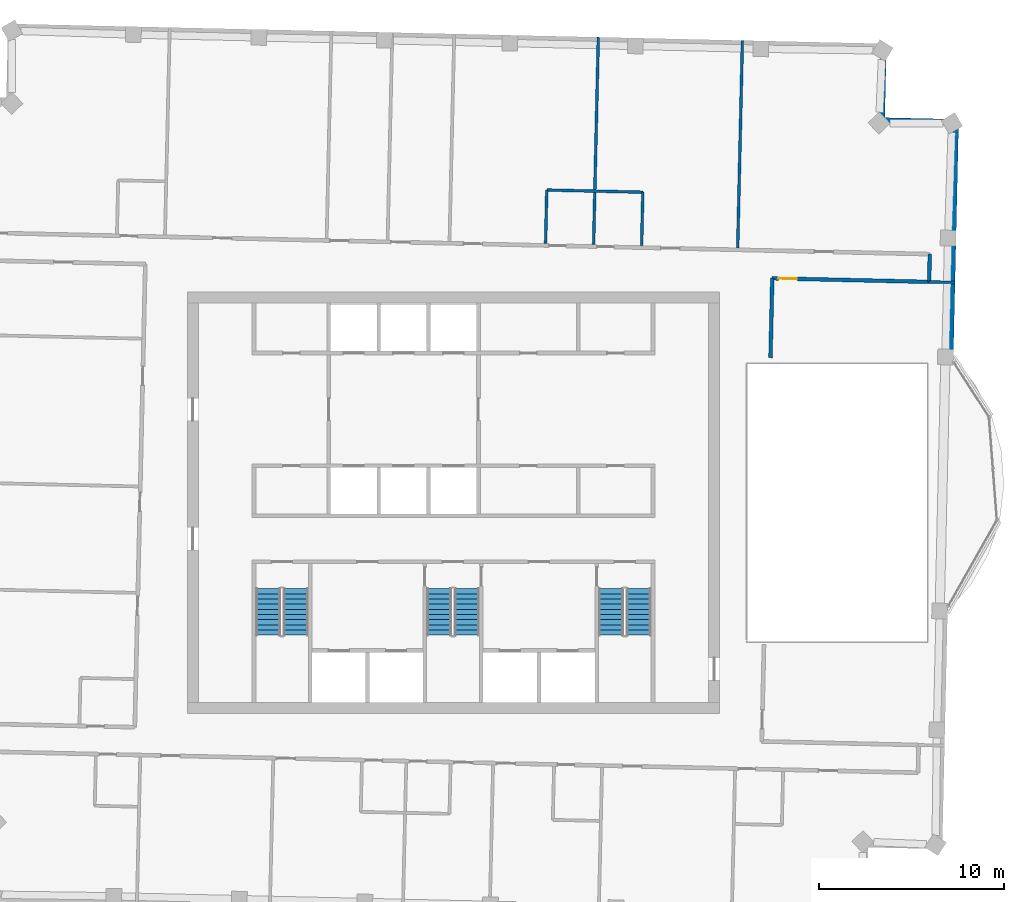
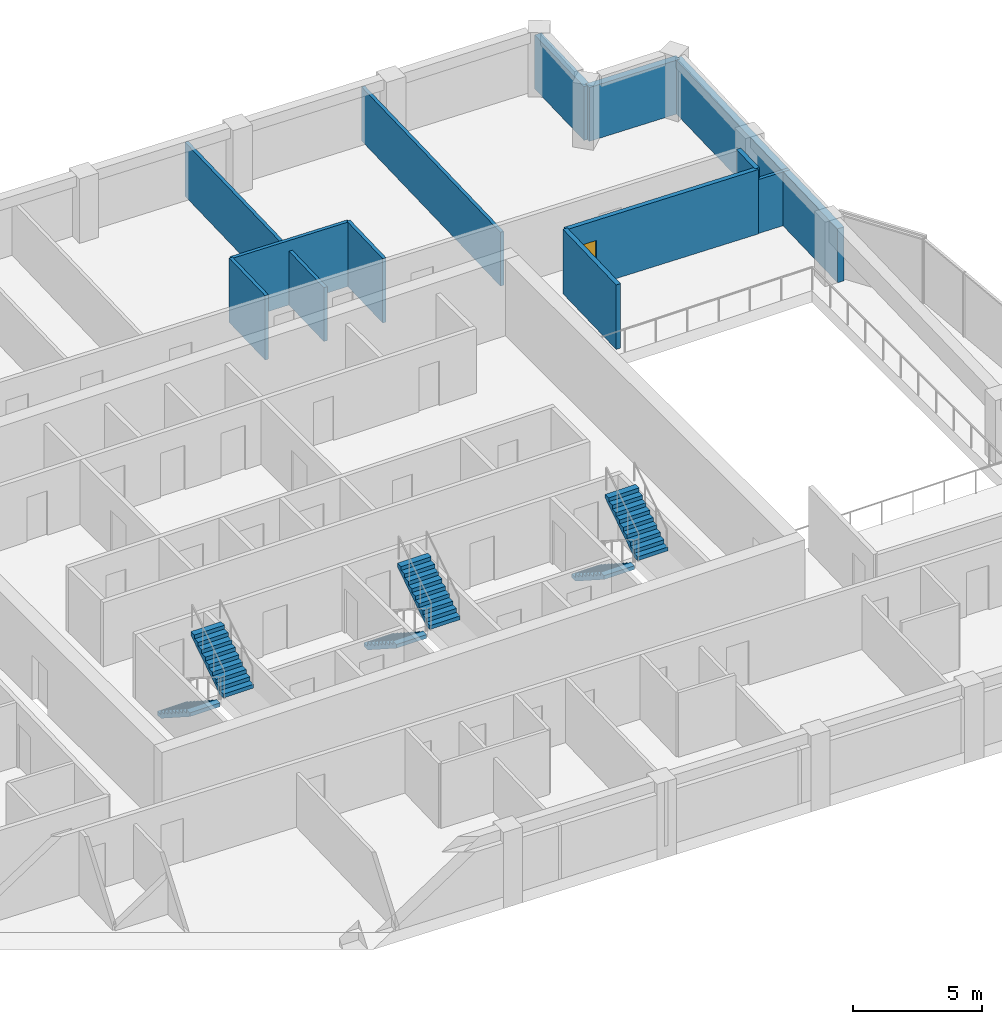
# One storey, part 9 of 11: 12 walls, 6 stair flights, 1 door, 1 opening, 3 elements without a shape of their own.
"""IFC4 building model written with IfcOpenShell, lengths in metres."""

from ifc_helpers import new_model, si_unit, direction, frame, frame_2d, origin, place, context, subcontext, project, spatial, polyline, rectangle, outline, extrude, material, layer, layer_set, type_object, element, fill, aggregate, save


model = new_model("IFC4")

# Units and contexts
model_context = context("Model", 3, precision=1e-05, world=origin(), true_north=direction((0.0, 1.0)))
body_context = subcontext(model_context, "Body", "Model", "MODEL_VIEW")
ifc_project = project(units=[si_unit("LENGTHUNIT", "METRE"), si_unit("AREAUNIT", "SQUARE_METRE"), si_unit("VOLUMEUNIT", "CUBIC_METRE"), si_unit("PLANEANGLEUNIT", "RADIAN"), si_unit("MASSUNIT", "GRAM", prefix="KILO")], contexts=[model_context])

# Site, building, storey
site_placement = place(None, origin())
site = spatial("IfcSite", under=ifc_project, at=site_placement, CompositionType="ELEMENT")
building_placement = place(site_placement, origin())
building = spatial("IfcBuilding", under=site, at=building_placement, Name="Mangrove Gate Tower", CompositionType="ELEMENT")
storey_placement = place(building_placement, frame((0.0, 0.0, 334.300048828125)))
storey = spatial("IfcBuildingStorey", under=building, at=storey_placement, Name="L85", CompositionType="ELEMENT", Elevation=334.300048828125)

# Wall
ifc_material_1 = material(Name="Gypsum board on steel stud, EI 60", Category="steel")
ifc_layer_1 = layer(ifc_material_1, 0.199951171875)
ifc_layer_set_1 = layer_set([ifc_layer_1], Name="Corridor wall EI 60")
wall_type_1 = type_object("IfcWallType", Name="Corridor wall EI 60", PredefinedType="PARTITIONING", material=ifc_layer_set_1)
wall_1_placement = place(storey_placement, frame((17.155029296875, 7.845947265625, 0.0), z_axis=(0.0, 0.0, 1.0), x_axis=(0.022745886685, 0.999741278851, 0.0)))
element("IfcWall", 1, at=wall_1_placement, inside=storey, type_object=wall_type_1, Name="WALL-L85-029", PredefinedType="PARTITIONING", context=body_context, shape_type="SweptSolid", body=[
    extrude(rectangle(XDim=4.30419921875, YDim=0.199951171875, at=frame_2d((2.152099609375, 0.0))), origin(), (0.0, 0.0, 1.0), 3.050048828125),
])

# Wall, opening, door
wall_2_placement = place(storey_placement, frame((17.248046875, 12.14501953125, 0.0), z_axis=(0.0, 0.0, 1.0), x_axis=(0.999741583257, -0.022732503302, 0.0)))
wall_2 = element("IfcWall", 2, at=wall_2_placement, inside=storey, type_object=wall_type_1, Name="WALL-L85-033", PredefinedType="PARTITIONING", context=body_context, shape_type="SweptSolid", body=[
    extrude(rectangle(XDim=8.4951171875, YDim=0.199951171875, at=frame_2d((4.24755859375, 0.0))), origin(), (0.0, 0.0, 1.0), 3.050048828125),
])
opening_placement = place(wall_2_placement, frame((0.340087890625, 0.0, 0.0)))
opening = element("IfcOpeningElement", 3, at=opening_placement, cuts=wall_2, Name="Opening AD", PredefinedType="OPENING", context=body_context, shape_type="SweptSolid", body=[
    extrude(rectangle(XDim=1.0, YDim=2.10009765625, at=frame_2d((0.5, 1.050048828125))), frame((0.0, 0.10986328125, 0.0), z_axis=(0.0, -1.0, 0.0), x_axis=(1.0, 0.0, 0.0)), (0.0, 0.0, 1.0), 0.219970703125),
])
ifc_material_2 = material(Name="Timber door leaf", Category="wood")
door_type = type_object("IfcDoorType", Name="Amenity door 1000", OperationType="SINGLE_SWING_LEFT", PredefinedType="DOOR", material=ifc_material_2)
door_placement = place(opening_placement, origin())
door = element("IfcDoor", 4, at=door_placement, inside=storey, type_object=door_type, Name="DOOR-L85-KIT-c3a", OperationType="SINGLE_SWING_LEFT", OverallHeight=2.10009765625, OverallWidth=1.0, PredefinedType="DOOR", context=body_context, shape_type="SweptSolid", body=[
    extrude(rectangle(XDim=1.0, YDim=2.10009765625, at=frame_2d((0.5, 1.050048828125))), frame((0.0, 0.02490234375, 0.0), z_axis=(0.0, -1.0, 0.0), x_axis=(1.0, 0.0, 0.0)), (0.0, 0.0, 1.0), 0.050048828125),
])
fill(opening, door)

# Walls
wall_3_placement = place(storey_placement, frame((25.740966796875, 11.9560546875, 0.0), z_axis=(0.0, 0.0, 1.0), x_axis=(0.022617910375, 0.999744182344, 0.0)))
element("IfcWall", 5, at=wall_3_placement, inside=storey, type_object=wall_type_1, Name="WALL-L85-036", PredefinedType="PARTITIONING", context=body_context, shape_type="SweptSolid", body=[
    extrude(rectangle(XDim=1.50048828125, YDim=0.199951171875, at=frame_2d((0.750244140625, 0.0))), origin(), (0.0, 0.0, 1.0), 3.050048828125),
])
ifc_material_3 = material(Name="Limestone", Category="masonry")
ifc_layer_2 = layer(ifc_material_3, 0.0400390625, Name="Limestone cladding")
ifc_material_4 = material(Name="Ventilated air gap")
ifc_layer_3 = layer(ifc_material_4, 0.0400390625, Name="Ventilated cavity")
ifc_material_5 = material(Name="Mineral wool insulation")
ifc_layer_4 = layer(ifc_material_5, 0.06005859375, Name="Insulation")
ifc_material_6 = material(Name="Breather membrane")
ifc_layer_5 = layer(ifc_material_6, 0.001953125, Name="Breather membrane")
ifc_material_7 = material(Name="Concrete C20/25 blockwork", Category="masonry")
ifc_layer_6 = layer(ifc_material_7, 0.14990234375, Name="Blockwork backing wall")
ifc_material_8 = material(Name="Gypsum plaster")
ifc_layer_7 = layer(ifc_material_8, 0.008056640625, Name="Internal plaster")
ifc_layer_set_2 = layer_set([ifc_layer_2, ifc_layer_3, ifc_layer_4, ifc_layer_5, ifc_layer_6, ifc_layer_7], Name="External wall 300 limestone cladding")
wall_type_2 = type_object("IfcWallType", Name="External wall 300 limestone cladding", PredefinedType="SOLIDWALL", material=ifc_layer_set_2)
wall_4_placement = place(storey_placement, frame((26.888916015625, 7.4560546875, 0.0), z_axis=(0.0, 0.0, 1.0), x_axis=(0.022669951481, 0.999743003626, 0.0)))
element("IfcWall", 6, at=wall_4_placement, inside=storey, type_object=wall_type_2, Name="WALL-L85-E2s1", PredefinedType="SOLIDWALL", context=body_context, shape_type="SweptSolid", body=[
    extrude(rectangle(XDim=13.1494140625, YDim=0.300048828125, at=frame_2d((6.57470703125, 0.0))), origin(), (0.0, 0.0, 1.0), 2.550048828125),
])
wall_5_placement = place(storey_placement, frame((27.18701171875, 20.60205078125, 0.0), z_axis=(0.0, 0.0, 1.0), x_axis=(-0.999740826251, 0.022765770952, 0.0)))
element("IfcWall", 7, at=wall_5_placement, inside=storey, type_object=wall_type_2, Name="WALL-L85-N3", PredefinedType="SOLIDWALL", context=body_context, shape_type="SweptSolid", body=[
    extrude(rectangle(XDim=4.0, YDim=0.300048828125, at=frame_2d((2.0, 0.0))), origin(), (0.0, 0.0, 1.0), 2.550048828125),
])
wall_6_placement = place(storey_placement, frame((23.18798828125, 20.693115234375, 0.0), z_axis=(0.0, 0.0, 1.0), x_axis=(0.022772718728, 0.999740668014, 0.0)))
element("IfcWall", 8, at=wall_6_placement, inside=storey, type_object=wall_type_2, Name="WALL-L85-E4", PredefinedType="SOLIDWALL", context=body_context, shape_type="SweptSolid", body=[
    extrude(rectangle(XDim=3.998779296875, YDim=0.300048828125, at=frame_2d((1.99951171875, 0.0))), origin(), (0.0, 0.0, 1.0), 2.550048828125),
])
ifc_material_9 = material(Name="Gypsum board on steel stud, EI 60", Category="steel")
ifc_layer_8 = layer(ifc_material_9, 0.14990234375)
ifc_layer_set_3 = layer_set([ifc_layer_8], Name="Party wall 150 EI 60")
wall_type_3 = type_object("IfcWallType", Name="Party wall 150 EI 60", PredefinedType="PARTITIONING", material=ifc_layer_set_3)
wall_7_placement = place(storey_placement, frame((25.740966796875, 11.951904296875, 0.0), z_axis=(0.0, 0.0, 1.0), x_axis=(0.999754467928, -0.022158606881, 0.0)))
element("IfcWall", 9, at=wall_7_placement, inside=storey, type_object=wall_type_3, Name="WALL-L85-034", PredefinedType="PARTITIONING", context=body_context, shape_type="SweptSolid", body=[
    extrude(rectangle(XDim=1.399169921875, YDim=0.14990234375, at=frame_2d((0.69970703125, 0.0))), origin(), (0.0, 0.0, 1.0), 2.550048828125),
])
wall_8_placement = place(storey_placement, frame((4.98291015625, 14.028076171875, 0.0), z_axis=(0.0, 0.0, 1.0), x_axis=(0.022480421481, 0.999747283392, 0.0)))
element("IfcWall", 10, at=wall_8_placement, inside=storey, type_object=wall_type_3, Name="WALL-L85-043", PredefinedType="PARTITIONING", context=body_context, shape_type="SweptSolid", body=[
    extrude(rectangle(XDim=2.899658203125, YDim=0.14990234375, at=frame_2d((1.44970703125, 0.0))), origin(), (0.0, 0.0, 1.0), 3.050048828125),
])
wall_9_placement = place(storey_placement, frame((7.58203125, 13.968994140625, 0.0), z_axis=(0.0, 0.0, 1.0), x_axis=(0.022705102634, 0.999742205928, 0.0)))
element("IfcWall", 11, at=wall_9_placement, inside=storey, type_object=wall_type_3, Name="WALL-L85-044", PredefinedType="PARTITIONING", context=body_context, shape_type="SweptSolid", body=[
    extrude(rectangle(XDim=11.225830078125, YDim=0.14990234375, at=frame_2d((5.61279296875, 0.0))), origin(), (0.0, 0.0, 1.0), 2.550048828125),
])
wall_10_placement = place(storey_placement, frame((10.180908203125, 13.909912109375, 0.0), z_axis=(0.0, 0.0, 1.0), x_axis=(0.022815112345, 0.999739701447, 0.0)))
element("IfcWall", 12, at=wall_10_placement, inside=storey, type_object=wall_type_3, Name="WALL-L85-045", PredefinedType="PARTITIONING", context=body_context, shape_type="SweptSolid", body=[
    extrude(rectangle(XDim=2.89990234375, YDim=0.14990234375, at=frame_2d((1.449951171875, 0.0))), origin(), (0.0, 0.0, 1.0), 3.050048828125),
])
wall_11_placement = place(storey_placement, frame((15.3798828125, 13.7919921875, 0.0), z_axis=(0.0, 0.0, 1.0), x_axis=(0.022726839589, 0.999741712025, 0.0)))
element("IfcWall", 13, at=wall_11_placement, inside=storey, type_object=wall_type_3, Name="WALL-L85-046", PredefinedType="PARTITIONING", context=body_context, shape_type="SweptSolid", body=[
    extrude(rectangle(XDim=11.225830078125, YDim=0.14990234375, at=frame_2d((5.61279296875, 0.0))), origin(), (0.0, 0.0, 1.0), 2.550048828125),
])
wall_12_placement = place(storey_placement, frame((5.048095703125, 16.923095703125, 0.0), z_axis=(0.0, 0.0, 1.0), x_axis=(0.999741811307, -0.022722471786, 0.0)))
element("IfcWall", 14, at=wall_12_placement, inside=storey, type_object=wall_type_3, Name="WALL-L85-048", PredefinedType="PARTITIONING", context=body_context, shape_type="SweptSolid", body=[
    extrude(rectangle(XDim=5.2001953125, YDim=0.14990234375, at=frame_2d((2.60009765625, 0.0))), origin(), (0.0, 0.0, 1.0), 3.050048828125),
])

# Stair, stair flights
ifc_material_10 = material(Name="Concrete C40/50", Category="concrete")
stair_type = type_object("IfcStairType", Name="Core stair 1350", PredefinedType="HALF_TURN_STAIR", material=ifc_material_10)
stair_1_placement = place(storey_placement, origin())
stair_1 = element("IfcStair", 15, at=stair_1_placement, inside=storey, type_object=stair_type, Name="L85 Stair 1", PredefinedType="HALF_TURN_STAIR")
ifc_material_11 = material(Name="Concrete C40/50", Category="concrete")
stair_flight_type = type_object("IfcStairFlightType", Name="Core stair flight 1350", PredefinedType="STRAIGHT", material=ifc_material_11)
stair_flight_1_placement = place(storey_placement, frame((-10.02490234375, -4.64990234375, 0.0), z_axis=(0.0, 0.0, 1.0), x_axis=(0.0, -1.0, 0.0)))
stair_flight_1 = element("IfcStairFlight", 16, at=stair_flight_1_placement, type_object=stair_flight_type, Name="ST1 flight 1", NumberOfRisers=10, NumberOfTreads=9, PredefinedType="STRAIGHT", RiserHeight=0.18, TreadLength=0.28, context=body_context, shape_type="SweptSolid", body=[
    extrude(outline(polyline([(0.0, 0.0), (0.0, 0.179931640625), (0.280029296875, 0.179931640625), (0.280029296875, 0.360107421875), (0.56005859375, 0.360107421875), (0.56005859375, 0.5400390625), (0.840087890625, 0.5400390625), (0.840087890625, 0.719970703125), (1.1201171875, 0.719970703125), (1.1201171875, 0.89990234375), (1.39990234375, 0.89990234375), (1.39990234375, 1.080078125), (1.679931640625, 1.080078125), (1.679931640625, 1.260009765625), (1.9599609375, 1.260009765625), (1.9599609375, 1.43994140625), (2.239990234375, 1.43994140625), (2.239990234375, 1.6201171875), (2.52001953125, 1.6201171875), (2.52001953125, 1.800048828125), (2.52001953125, 1.44189453125), (0.277099609375, 0.0), (0.0, 0.0)])), frame((0.0, 0.675048828125, 0.0), z_axis=(0.0, -1.0, 0.0), x_axis=(1.0, 0.0, 0.0)), (0.0, 0.0, 1.0), 1.35009765625),
])
stair_flight_2_placement = place(storey_placement, frame((-8.52490234375, -7.169921875, 1.800048828125), z_axis=(0.0, 0.0, 1.0), x_axis=(0.0, 1.0, 0.0)))
stair_flight_2 = element("IfcStairFlight", 17, at=stair_flight_2_placement, type_object=stair_flight_type, Name="ST1 flight 2", NumberOfRisers=10, NumberOfTreads=9, PredefinedType="STRAIGHT", RiserHeight=0.18, TreadLength=0.28, context=body_context, shape_type="SweptSolid", body=[
    extrude(outline(polyline([(0.0, 0.0), (0.0, 0.179931640625), (0.280029296875, 0.179931640625), (0.280029296875, 0.360107421875), (0.56005859375, 0.360107421875), (0.56005859375, 0.5400390625), (0.840087890625, 0.5400390625), (0.840087890625, 0.719970703125), (1.1201171875, 0.719970703125), (1.1201171875, 0.89990234375), (1.39990234375, 0.89990234375), (1.39990234375, 1.080078125), (1.679931640625, 1.080078125), (1.679931640625, 1.260009765625), (1.9599609375, 1.260009765625), (1.9599609375, 1.43994140625), (2.239990234375, 1.43994140625), (2.239990234375, 1.6201171875), (2.52001953125, 1.6201171875), (2.52001953125, 1.800048828125), (2.52001953125, 1.44189453125), (0.277099609375, 0.0), (0.0, 0.0)])), frame((0.0, 0.675048828125, 0.0), z_axis=(0.0, -1.0, 0.0), x_axis=(1.0, 0.0, 0.0)), (0.0, 0.0, 1.0), 1.35009765625),
])
aggregate(stair_1, [stair_flight_1, stair_flight_2])

stair_2_placement = place(storey_placement, origin())
stair_2 = element("IfcStair", 18, at=stair_2_placement, inside=storey, type_object=stair_type, Name="L85 Stair 2", PredefinedType="HALF_TURN_STAIR")
stair_flight_3_placement = place(storey_placement, frame((-0.77490234375, -4.64990234375, 0.0), z_axis=(0.0, 0.0, 1.0), x_axis=(0.0, -1.0, 0.0)))
stair_flight_3 = element("IfcStairFlight", 19, at=stair_flight_3_placement, type_object=stair_flight_type, Name="ST2 flight 1", NumberOfRisers=10, NumberOfTreads=9, PredefinedType="STRAIGHT", RiserHeight=0.18, TreadLength=0.28, context=body_context, shape_type="SweptSolid", body=[
    extrude(outline(polyline([(0.0, 0.0), (0.0, 0.179931640625), (0.280029296875, 0.179931640625), (0.280029296875, 0.360107421875), (0.56005859375, 0.360107421875), (0.56005859375, 0.5400390625), (0.840087890625, 0.5400390625), (0.840087890625, 0.719970703125), (1.1201171875, 0.719970703125), (1.1201171875, 0.89990234375), (1.39990234375, 0.89990234375), (1.39990234375, 1.080078125), (1.679931640625, 1.080078125), (1.679931640625, 1.260009765625), (1.9599609375, 1.260009765625), (1.9599609375, 1.43994140625), (2.239990234375, 1.43994140625), (2.239990234375, 1.6201171875), (2.52001953125, 1.6201171875), (2.52001953125, 1.800048828125), (2.52001953125, 1.44189453125), (0.277099609375, 0.0), (0.0, 0.0)])), frame((0.0, 0.675048828125, 0.0), z_axis=(0.0, -1.0, 0.0), x_axis=(1.0, 0.0, 0.0)), (0.0, 0.0, 1.0), 1.35009765625),
])
stair_flight_4_placement = place(storey_placement, frame((0.72509765625, -7.169921875, 1.800048828125), z_axis=(0.0, 0.0, 1.0), x_axis=(0.0, 1.0, 0.0)))
stair_flight_4 = element("IfcStairFlight", 20, at=stair_flight_4_placement, type_object=stair_flight_type, Name="ST2 flight 2", NumberOfRisers=10, NumberOfTreads=9, PredefinedType="STRAIGHT", RiserHeight=0.18, TreadLength=0.28, context=body_context, shape_type="SweptSolid", body=[
    extrude(outline(polyline([(0.0, 0.0), (0.0, 0.179931640625), (0.280029296875, 0.179931640625), (0.280029296875, 0.360107421875), (0.56005859375, 0.360107421875), (0.56005859375, 0.5400390625), (0.840087890625, 0.5400390625), (0.840087890625, 0.719970703125), (1.1201171875, 0.719970703125), (1.1201171875, 0.89990234375), (1.39990234375, 0.89990234375), (1.39990234375, 1.080078125), (1.679931640625, 1.080078125), (1.679931640625, 1.260009765625), (1.9599609375, 1.260009765625), (1.9599609375, 1.43994140625), (2.239990234375, 1.43994140625), (2.239990234375, 1.6201171875), (2.52001953125, 1.6201171875), (2.52001953125, 1.800048828125), (2.52001953125, 1.44189453125), (0.277099609375, 0.0), (0.0, 0.0)])), frame((0.0, 0.675048828125, 0.0), z_axis=(0.0, -1.0, 0.0), x_axis=(1.0, 0.0, 0.0)), (0.0, 0.0, 1.0), 1.35009765625),
])
aggregate(stair_2, [stair_flight_3, stair_flight_4])

stair_3_placement = place(storey_placement, origin())
stair_3 = element("IfcStair", 21, at=stair_3_placement, inside=storey, type_object=stair_type, Name="L85 Stair 3", PredefinedType="HALF_TURN_STAIR")
stair_flight_5_placement = place(storey_placement, frame((8.52490234375, -4.64990234375, 0.0), z_axis=(0.0, 0.0, 1.0), x_axis=(0.0, -1.0, 0.0)))
stair_flight_5 = element("IfcStairFlight", 22, at=stair_flight_5_placement, type_object=stair_flight_type, Name="ST3 flight 1", NumberOfRisers=10, NumberOfTreads=9, PredefinedType="STRAIGHT", RiserHeight=0.18, TreadLength=0.28, context=body_context, shape_type="SweptSolid", body=[
    extrude(outline(polyline([(0.0, 0.0), (0.0, 0.179931640625), (0.280029296875, 0.179931640625), (0.280029296875, 0.360107421875), (0.56005859375, 0.360107421875), (0.56005859375, 0.5400390625), (0.840087890625, 0.5400390625), (0.840087890625, 0.719970703125), (1.1201171875, 0.719970703125), (1.1201171875, 0.89990234375), (1.39990234375, 0.89990234375), (1.39990234375, 1.080078125), (1.679931640625, 1.080078125), (1.679931640625, 1.260009765625), (1.9599609375, 1.260009765625), (1.9599609375, 1.43994140625), (2.239990234375, 1.43994140625), (2.239990234375, 1.6201171875), (2.52001953125, 1.6201171875), (2.52001953125, 1.800048828125), (2.52001953125, 1.44189453125), (0.277099609375, 0.0), (0.0, 0.0)])), frame((0.0, 0.675048828125, 0.0), z_axis=(0.0, -1.0, 0.0), x_axis=(1.0, 0.0, 0.0)), (0.0, 0.0, 1.0), 1.35009765625),
])
stair_flight_6_placement = place(storey_placement, frame((10.02490234375, -7.169921875, 1.800048828125), z_axis=(0.0, 0.0, 1.0), x_axis=(0.0, 1.0, 0.0)))
stair_flight_6 = element("IfcStairFlight", 23, at=stair_flight_6_placement, type_object=stair_flight_type, Name="ST3 flight 2", NumberOfRisers=10, NumberOfTreads=9, PredefinedType="STRAIGHT", RiserHeight=0.18, TreadLength=0.28, context=body_context, shape_type="SweptSolid", body=[
    extrude(outline(polyline([(0.0, 0.0), (0.0, 0.179931640625), (0.280029296875, 0.179931640625), (0.280029296875, 0.360107421875), (0.56005859375, 0.360107421875), (0.56005859375, 0.5400390625), (0.840087890625, 0.5400390625), (0.840087890625, 0.719970703125), (1.1201171875, 0.719970703125), (1.1201171875, 0.89990234375), (1.39990234375, 0.89990234375), (1.39990234375, 1.080078125), (1.679931640625, 1.080078125), (1.679931640625, 1.260009765625), (1.9599609375, 1.260009765625), (1.9599609375, 1.43994140625), (2.239990234375, 1.43994140625), (2.239990234375, 1.6201171875), (2.52001953125, 1.6201171875), (2.52001953125, 1.800048828125), (2.52001953125, 1.44189453125), (0.277099609375, 0.0), (0.0, 0.0)])), frame((0.0, 0.675048828125, 0.0), z_axis=(0.0, -1.0, 0.0), x_axis=(1.0, 0.0, 0.0)), (0.0, 0.0, 1.0), 1.35009765625),
])
aggregate(stair_3, [stair_flight_5, stair_flight_6])

save(model, "model.ifc")
